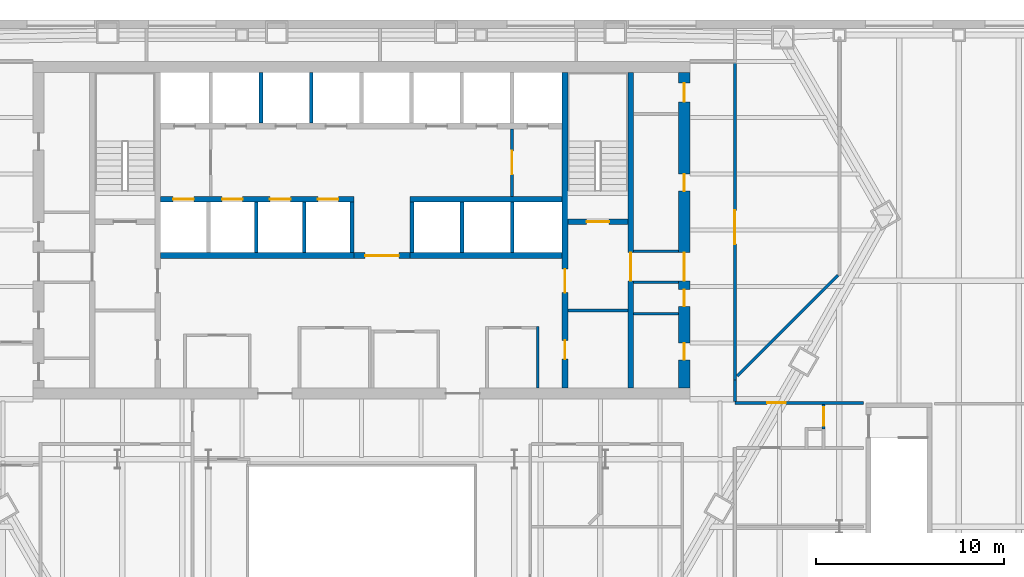
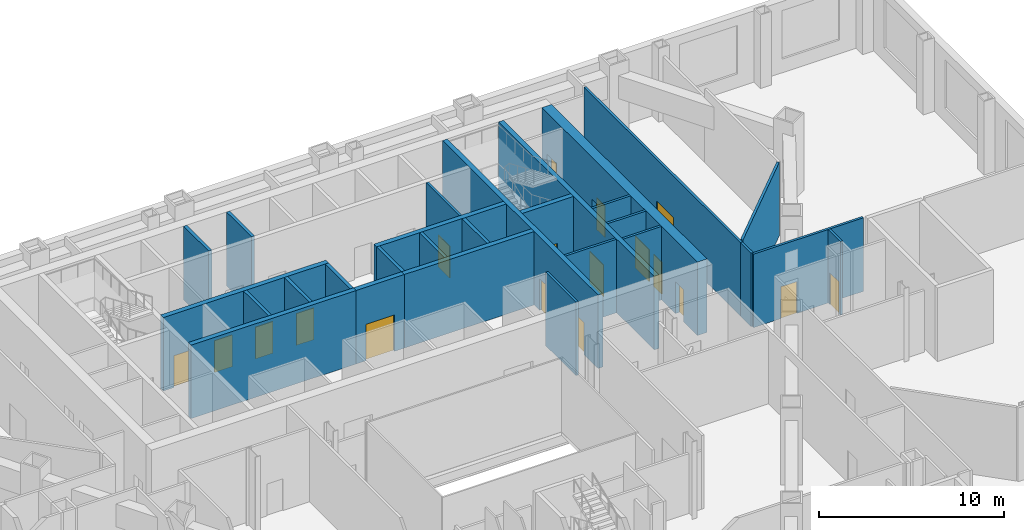
# One storey, part 12 of 17: 28 walls, 18 doors, 18 openings.
"""IFC4 building model written with IfcOpenShell, lengths in metres."""

from ifc_helpers import new_model, si_unit, direction, frame, frame_2d, origin, place, context, subcontext, project, spatial, rectangle, extrude, material, layer, layer_set, type_object, element, fill, save


model = new_model("IFC4")

# Units and contexts
model_context = context("Model", 3, precision=1e-05, world=origin(), true_north=direction((0.0, 1.0)))
body_context = subcontext(model_context, "Body", "Model", "MODEL_VIEW")
ifc_project = project(units=[si_unit("LENGTHUNIT", "METRE"), si_unit("AREAUNIT", "SQUARE_METRE"), si_unit("VOLUMEUNIT", "CUBIC_METRE"), si_unit("PLANEANGLEUNIT", "RADIAN"), si_unit("MASSUNIT", "GRAM", prefix="KILO")], contexts=[model_context])

# Site, building, storey
site_placement = place(None, origin())
site = spatial("IfcSite", under=ifc_project, at=site_placement, CompositionType="ELEMENT")
building_placement = place(site_placement, origin())
building = spatial("IfcBuilding", under=site, at=building_placement, Name="Njiva Tower", CompositionType="ELEMENT")
storey_placement = place(building_placement, frame((0.0, 0.0, 23.7)))
storey = spatial("IfcBuildingStorey", under=building, at=storey_placement, Name="L04", CompositionType="ELEMENT", Elevation=23.7)

# Walls
ifc_material_1 = material(Name="Blockwork", Category="masonry")
ifc_layer_1 = layer(ifc_material_1, 0.15)
ifc_layer_set_1 = layer_set([ifc_layer_1], Name="Blockwork")
wall_type_1 = type_object("IfcWallType", Name="WT1 Compartment partition 150", PredefinedType="PARTITIONING", material=ifc_layer_set_1)
wall_1_placement = place(storey_placement, frame((11.0, 4.725, 0.0), z_axis=(0.0, 0.0, 1.0), x_axis=(1.0, 0.0, 0.0)))
element("IfcWall", 1, at=wall_1_placement, inside=storey, type_object=wall_type_1, Name="Room wall B", PredefinedType="PARTITIONING", context=body_context, shape_type="SweptSolid", body=[
    extrude(rectangle(XDim=3.2, YDim=0.15, at=frame_2d((1.6, 0.0))), origin(), (0.0, 0.0, 1.0), 4.85),
])
wall_2_placement = place(storey_placement, frame((9.4, 0.6, 0.0), z_axis=(0.0, 0.0, 1.0), x_axis=(0.0, 1.0, 0.0)))
element("IfcWall", 2, at=wall_2_placement, inside=storey, type_object=wall_type_1, Name="Security office wall east", PredefinedType="PARTITIONING", context=body_context, shape_type="SweptSolid", body=[
    extrude(rectangle(XDim=3.275, YDim=0.15, at=frame_2d((1.6375, 0.0))), origin(), (0.0, 0.0, 1.0), 4.85),
])

# Wall, openings, doors
ifc_material_2 = material(Name="Concrete C40/50", Category="concrete")
ifc_layer_2 = layer(ifc_material_2, 0.3)
ifc_layer_set_2 = layer_set([ifc_layer_2], Name="Concrete C40/50")
wall_type_2 = type_object("IfcWallType", Name="WT10 Stair enclosure wall 300", PredefinedType="SHEAR", material=ifc_layer_set_2)
wall_3_placement = place(storey_placement, frame((10.85, 0.6, 0.0), z_axis=(0.0, 0.0, 1.0), x_axis=(0.0, 1.0, 0.0)))
wall_3 = element("IfcWall", 3, at=wall_3_placement, inside=storey, type_object=wall_type_2, Name="Stair wall east inner", PredefinedType="SHEAR", context=body_context, shape_type="SweptSolid", body=[
    extrude(rectangle(XDim=16.8, YDim=0.3, at=frame_2d((8.4, 0.0))), origin(), (0.0, 0.0, 1.0), 4.85),
])
opening_1_placement = place(wall_3_placement, frame((5.075, 0.0, 0.0)))
opening_1 = element("IfcOpeningElement", 4, at=opening_1_placement, cuts=wall_3, Name="Opening L04-D918", PredefinedType="OPENING", context=body_context, shape_type="SweptSolid", body=[
    extrude(rectangle(XDim=1.25, YDim=2.1, at=frame_2d((0.625, 1.05))), frame((0.0, 0.16, 0.0), z_axis=(0.0, -1.0, 0.0), x_axis=(1.0, 0.0, 0.0)), (0.0, 0.0, 1.0), 0.32),
])
opening_2_placement = place(wall_3_placement, frame((1.525, 0.0, 0.0)))
opening_2 = element("IfcOpeningElement", 5, at=opening_2_placement, cuts=wall_3, Name="Opening L04-D919", PredefinedType="OPENING", context=body_context, shape_type="SweptSolid", body=[
    extrude(rectangle(XDim=1.0, YDim=2.1, at=frame_2d((0.5, 1.05))), frame((0.0, 0.16, 0.0), z_axis=(0.0, -1.0, 0.0), x_axis=(1.0, 0.0, 0.0)), (0.0, 0.0, 1.0), 0.32),
])
ifc_material_3 = material(Name="Steel door, painted", Category="steel")
door_type_1 = type_object("IfcDoorType", Name="D5 Steel door 1000x2100", OperationType="SINGLE_SWING_LEFT", PredefinedType="DOOR", material=ifc_material_3)
door_1_placement = place(opening_2_placement, origin())
door_1 = element("IfcDoor", 6, at=door_1_placement, inside=storey, type_object=door_type_1, Name="Reading room door", OperationType="SINGLE_SWING_LEFT", OverallHeight=2.1, OverallWidth=1.0, PredefinedType="DOOR", context=body_context, shape_type="SweptSolid", body=[
    extrude(rectangle(XDim=1.0, YDim=2.1, at=frame_2d((0.5, 1.05))), frame((0.0, 0.025, 0.0), z_axis=(0.0, -1.0, 0.0), x_axis=(1.0, 0.0, 0.0)), (0.0, 0.0, 1.0), 0.05),
])
fill(opening_2, door_1)
ifc_material_4 = material(Name="Glazed steel fire door", Category="steel")
door_type_2 = type_object("IfcDoorType", Name="D8 Vestibule corridor door 1250x2100 glazed", OperationType="SINGLE_SWING_LEFT", PredefinedType="DOOR", material=ifc_material_4)
door_2_placement = place(opening_1_placement, origin())
door_2 = element("IfcDoor", 7, at=door_2_placement, inside=storey, type_object=door_type_2, Name="Stair vestibule corridor door", OperationType="SINGLE_SWING_RIGHT", OverallHeight=2.1, OverallWidth=1.25, PredefinedType="DOOR", context=body_context, shape_type="SweptSolid", body=[
    extrude(rectangle(XDim=1.25, YDim=2.1, at=frame_2d((0.625, 1.05))), frame((0.0, 0.025, 0.0), z_axis=(0.0, -1.0, 0.0), x_axis=(1.0, 0.0, 0.0)), (0.0, 0.0, 1.0), 0.05),
])
fill(opening_1, door_2)

# Wall, opening, door
wall_4_placement = place(storey_placement, frame((14.35, 0.6, 0.0), z_axis=(0.0, 0.0, 1.0), x_axis=(0.0, 1.0, 0.0)))
wall_4 = element("IfcWall", 8, at=wall_4_placement, inside=storey, type_object=wall_type_2, Name="Stair wall east outer", PredefinedType="SHEAR", context=body_context, shape_type="SweptSolid", body=[
    extrude(rectangle(XDim=16.8, YDim=0.3, at=frame_2d((8.4, 0.0))), origin(), (0.0, 0.0, 1.0), 4.85),
])
opening_3_placement = place(wall_4_placement, frame((5.7, 0.0, 0.0)))
opening_3 = element("IfcOpeningElement", 9, at=opening_3_placement, cuts=wall_4, Name="Opening L04-D926", PredefinedType="OPENING", context=body_context, shape_type="SweptSolid", body=[
    extrude(rectangle(XDim=1.5, YDim=2.1, at=frame_2d((0.75, 1.05))), frame((0.0, 0.16, 0.0), z_axis=(0.0, -1.0, 0.0), x_axis=(1.0, 0.0, 0.0)), (0.0, 0.0, 1.0), 0.32),
])
door_type_3 = type_object("IfcDoorType", Name="D10 Exit door double 1500x2100 glazed", OperationType="DOUBLE_DOOR_SINGLE_SWING", PredefinedType="DOOR", material=ifc_material_4)
door_3_placement = place(opening_3_placement, origin())
door_3 = element("IfcDoor", 10, at=door_3_placement, inside=storey, type_object=door_type_3, Name="Stair B passage door", OperationType="DOUBLE_DOOR_SINGLE_SWING", OverallHeight=2.1, OverallWidth=1.5, PredefinedType="DOOR", context=body_context, shape_type="SweptSolid", body=[
    extrude(rectangle(XDim=1.5, YDim=2.1, at=frame_2d((0.75, 1.05))), frame((0.0, 0.025, 0.0), z_axis=(0.0, -1.0, 0.0), x_axis=(1.0, 0.0, 0.0)), (0.0, 0.0, 1.0), 0.05),
])
fill(opening_3, door_3)

wall_5_placement = place(storey_placement, frame((11.0, 9.45, 0.0), z_axis=(0.0, 0.0, 1.0), x_axis=(1.0, 0.0, 0.0)))
wall_5 = element("IfcWall", 11, at=wall_5_placement, inside=storey, type_object=wall_type_2, Name="Stair B south wall", PredefinedType="SHEAR", context=body_context, shape_type="SweptSolid", body=[
    extrude(rectangle(XDim=3.2, YDim=0.3, at=frame_2d((1.6, 0.0))), origin(), (0.0, 0.0, 1.0), 4.85),
])
opening_4_placement = place(wall_5_placement, frame((1.0, 0.0, 0.0)))
opening_4 = element("IfcOpeningElement", 12, at=opening_4_placement, cuts=wall_5, Name="Opening L04-D917", PredefinedType="OPENING", context=body_context, shape_type="SweptSolid", body=[
    extrude(rectangle(XDim=1.2, YDim=2.1, at=frame_2d((0.6, 1.05))), frame((0.0, 0.16, 0.0), z_axis=(0.0, -1.0, 0.0), x_axis=(1.0, 0.0, 0.0)), (0.0, 0.0, 1.0), 0.32),
])
door_type_4 = type_object("IfcDoorType", Name="D7 Stair vestibule door 1200x2100 glazed", OperationType="SINGLE_SWING_LEFT", PredefinedType="DOOR", material=ifc_material_4)
door_4_placement = place(opening_4_placement, origin())
door_4 = element("IfcDoor", 13, at=door_4_placement, inside=storey, type_object=door_type_4, Name="Stair B door", OperationType="SINGLE_SWING_LEFT", OverallHeight=2.1, OverallWidth=1.2, PredefinedType="DOOR", context=body_context, shape_type="SweptSolid", body=[
    extrude(rectangle(XDim=1.2, YDim=2.1, at=frame_2d((0.6, 1.05))), frame((0.0, 0.025, 0.0), z_axis=(0.0, -1.0, 0.0), x_axis=(1.0, 0.0, 0.0)), (0.0, 0.0, 1.0), 0.05),
])
fill(opening_4, door_4)

# Wall, openings, doors
ifc_material_5 = material(Name="Concrete C60/75", Category="concrete")
ifc_layer_3 = layer(ifc_material_5, 0.6)
ifc_layer_set_3 = layer_set([ifc_layer_3], Name="Concrete C60/75")
wall_type_3 = type_object("IfcWallType", Name="WT15 Core wall 600", PredefinedType="SHEAR", material=ifc_layer_set_3)
wall_6_placement = place(storey_placement, frame((17.2, 0.6, 0.0), z_axis=(0.0, 0.0, 1.0), x_axis=(0.0, 1.0, 0.0)))
wall_6 = element("IfcWall", 14, at=wall_6_placement, inside=storey, type_object=wall_type_3, Name="Core wall east", PredefinedType="SHEAR", context=body_context, shape_type="SweptSolid", body=[
    extrude(rectangle(XDim=16.8, YDim=0.6, at=frame_2d((8.4, 0.0))), origin(), (0.0, 0.0, 1.0), 4.85),
])
opening_5_placement = place(wall_6_placement, frame((5.7, 0.0, 0.0)))
opening_5 = element("IfcOpeningElement", 15, at=opening_5_placement, cuts=wall_6, Name="Opening L04-D927", PredefinedType="OPENING", context=body_context, shape_type="SweptSolid", body=[
    extrude(rectangle(XDim=1.5, YDim=2.1, at=frame_2d((0.75, 1.05))), frame((0.0, 0.31, 0.0), z_axis=(0.0, -1.0, 0.0), x_axis=(1.0, 0.0, 0.0)), (0.0, 0.0, 1.0), 0.62),
])
opening_6_placement = place(wall_6_placement, frame((1.4885, 0.0, 0.0)))
opening_6 = element("IfcOpeningElement", 16, at=opening_6_placement, cuts=wall_6, Name="Opening L04-D928", PredefinedType="OPENING", context=body_context, shape_type="SweptSolid", body=[
    extrude(rectangle(XDim=0.9, YDim=2.1, at=frame_2d((0.45, 1.05))), frame((0.0, 0.31, 0.0), z_axis=(0.0, -1.0, 0.0), x_axis=(1.0, 0.0, 0.0)), (0.0, 0.0, 1.0), 0.62),
])
opening_7_placement = place(wall_6_placement, frame((4.3385, 0.0, 0.0)))
opening_7 = element("IfcOpeningElement", 17, at=opening_7_placement, cuts=wall_6, Name="Opening L04-D929", PredefinedType="OPENING", context=body_context, shape_type="SweptSolid", body=[
    extrude(rectangle(XDim=0.9, YDim=2.1, at=frame_2d((0.45, 1.05))), frame((0.0, 0.31, 0.0), z_axis=(0.0, -1.0, 0.0), x_axis=(1.0, 0.0, 0.0)), (0.0, 0.0, 1.0), 0.62),
])
opening_8_placement = place(wall_6_placement, frame((10.4832, 0.0, 0.0)))
opening_8 = element("IfcOpeningElement", 18, at=opening_8_placement, cuts=wall_6, Name="Opening L04-D930", PredefinedType="OPENING", context=body_context, shape_type="SweptSolid", body=[
    extrude(rectangle(XDim=0.9, YDim=2.1, at=frame_2d((0.45, 1.05))), frame((0.0, 0.31, 0.0), z_axis=(0.0, -1.0, 0.0), x_axis=(1.0, 0.0, 0.0)), (0.0, 0.0, 1.0), 0.62),
])
opening_9_placement = place(wall_6_placement, frame((15.2332, 0.0, 0.0)))
opening_9 = element("IfcOpeningElement", 19, at=opening_9_placement, cuts=wall_6, Name="Opening L04-D931", PredefinedType="OPENING", context=body_context, shape_type="SweptSolid", body=[
    extrude(rectangle(XDim=1.0, YDim=2.1, at=frame_2d((0.5, 1.05))), frame((0.0, 0.31, 0.0), z_axis=(0.0, -1.0, 0.0), x_axis=(1.0, 0.0, 0.0)), (0.0, 0.0, 1.0), 0.62),
])
door_5_placement = place(opening_5_placement, origin())
door_5 = element("IfcDoor", 20, at=door_5_placement, inside=storey, type_object=door_type_3, Name="Stair B corridor door", OperationType="DOUBLE_DOOR_SINGLE_SWING", OverallHeight=2.1, OverallWidth=1.5, PredefinedType="DOOR", context=body_context, shape_type="SweptSolid", body=[
    extrude(rectangle(XDim=1.5, YDim=2.1, at=frame_2d((0.75, 1.05))), frame((0.0, 0.025, 0.0), z_axis=(0.0, -1.0, 0.0), x_axis=(1.0, 0.0, 0.0)), (0.0, 0.0, 1.0), 0.05),
])
fill(opening_5, door_5)
door_type_5 = type_object("IfcDoorType", Name="D4 Riser door 900x2100", OperationType="SINGLE_SWING_LEFT", PredefinedType="DOOR", material=ifc_material_3)
door_6_placement = place(opening_7_placement, origin())
door_6 = element("IfcDoor", 21, at=door_6_placement, inside=storey, type_object=door_type_5, Name="Riser door", OperationType="SINGLE_SWING_LEFT", OverallHeight=2.1, OverallWidth=0.9, PredefinedType="DOOR", context=body_context, shape_type="SweptSolid", body=[
    extrude(rectangle(XDim=0.9, YDim=2.1, at=frame_2d((0.45, 1.05))), frame((0.0, 0.025, 0.0), z_axis=(0.0, -1.0, 0.0), x_axis=(1.0, 0.0, 0.0)), (0.0, 0.0, 1.0), 0.05),
])
fill(opening_7, door_6)
door_7_placement = place(opening_9_placement, origin())
door_7 = element("IfcDoor", 22, at=door_7_placement, inside=storey, type_object=door_type_1, Name="Telecoms room door", OperationType="SINGLE_SWING_LEFT", OverallHeight=2.1, OverallWidth=1.0, PredefinedType="DOOR", context=body_context, shape_type="SweptSolid", body=[
    extrude(rectangle(XDim=1.0, YDim=2.1, at=frame_2d((0.5, 1.05))), frame((0.0, 0.025, 0.0), z_axis=(0.0, -1.0, 0.0), x_axis=(1.0, 0.0, 0.0)), (0.0, 0.0, 1.0), 0.05),
])
fill(opening_9, door_7)
ifc_material_6 = material(Name="Steel fire door, painted", Category="steel")
door_type_6 = type_object("IfcDoorType", Name="D6 Fire-rated door 900x2100", OperationType="SINGLE_SWING_LEFT", PredefinedType="DOOR", material=ifc_material_6)
door_8_placement = place(opening_6_placement, origin())
door_8 = element("IfcDoor", 23, at=door_8_placement, inside=storey, type_object=door_type_6, Name="Reading room door", OperationType="SINGLE_SWING_RIGHT", OverallHeight=2.1, OverallWidth=0.9, PredefinedType="DOOR", context=body_context, shape_type="SweptSolid", body=[
    extrude(rectangle(XDim=0.9, YDim=2.1, at=frame_2d((0.45, 1.05))), frame((0.0, 0.025, 0.0), z_axis=(0.0, -1.0, 0.0), x_axis=(1.0, 0.0, 0.0)), (0.0, 0.0, 1.0), 0.05),
])
fill(opening_6, door_8)
door_9_placement = place(opening_8_placement, origin())
door_9 = element("IfcDoor", 24, at=door_9_placement, inside=storey, type_object=door_type_6, Name="Tenant centre door", OperationType="SINGLE_SWING_LEFT", OverallHeight=2.1, OverallWidth=0.9, PredefinedType="DOOR", context=body_context, shape_type="SweptSolid", body=[
    extrude(rectangle(XDim=0.9, YDim=2.1, at=frame_2d((0.45, 1.05))), frame((0.0, 0.025, 0.0), z_axis=(0.0, -1.0, 0.0), x_axis=(1.0, 0.0, 0.0)), (0.0, 0.0, 1.0), 0.05),
])
fill(opening_8, door_9)

# Wall, opening, door
ifc_layer_4 = layer(ifc_material_1, 0.15)
ifc_layer_set_4 = layer_set([ifc_layer_4], Name="Blockwork")
wall_type_4 = type_object("IfcWallType", Name="WT2 Lobby partition 150", PredefinedType="PARTITIONING", material=ifc_layer_set_4)
wall_7_placement = place(storey_placement, frame((8.025, 10.8, 0.0), z_axis=(0.0, 0.0, 1.0), x_axis=(0.0, 1.0, 0.0)))
wall_7 = element("IfcWall", 25, at=wall_7_placement, inside=storey, type_object=wall_type_4, Name="Firefighting lobby wall B", PredefinedType="PARTITIONING", context=body_context, shape_type="SweptSolid", body=[
    extrude(rectangle(XDim=3.6, YDim=0.15, at=frame_2d((1.8, 0.0))), origin(), (0.0, 0.0, 1.0), 4.85),
])
opening_10_placement = place(wall_7_placement, frame((1.175, 0.0, 0.0)))
opening_10 = element("IfcOpeningElement", 26, at=opening_10_placement, cuts=wall_7, Name="Opening L04-D916", PredefinedType="OPENING", context=body_context, shape_type="SweptSolid", body=[
    extrude(rectangle(XDim=1.25, YDim=2.1, at=frame_2d((0.625, 1.05))), frame((0.0, 0.085, 0.0), z_axis=(0.0, -1.0, 0.0), x_axis=(1.0, 0.0, 0.0)), (0.0, 0.0, 1.0), 0.17),
])
door_10_placement = place(opening_10_placement, origin())
door_10 = element("IfcDoor", 27, at=door_10_placement, inside=storey, type_object=door_type_2, Name="Stair vestibule corridor door", OperationType="SINGLE_SWING_LEFT", OverallHeight=2.1, OverallWidth=1.25, PredefinedType="DOOR", context=body_context, shape_type="SweptSolid", body=[
    extrude(rectangle(XDim=1.25, YDim=2.1, at=frame_2d((0.625, 1.05))), frame((0.0, 0.025, 0.0), z_axis=(0.0, -1.0, 0.0), x_axis=(1.0, 0.0, 0.0)), (0.0, 0.0, 1.0), 0.05),
])
fill(opening_10, door_10)

# Wall
ifc_material_7 = material(Name="Gypsum board on steel studs", Category="gypsum")
ifc_layer_5 = layer(ifc_material_7, 0.15)
ifc_layer_set_5 = layer_set([ifc_layer_5], Name="Gypsum board on steel studs")
wall_type_5 = type_object("IfcWallType", Name="WT21 Compartment wall 150", PredefinedType="PARTITIONING", material=ifc_layer_set_5)
wall_8_placement = place(storey_placement, frame((19.9, -0.125, 0.0), z_axis=(0.0, 0.0, 1.0), x_axis=(0.0, 1.0, 0.0)))
element("IfcWall", 28, at=wall_8_placement, inside=storey, type_object=wall_type_5, Name="Partition L04-P075", PredefinedType="PARTITIONING", context=body_context, shape_type="SweptSolid", body=[
    extrude(rectangle(XDim=1.15, YDim=0.15, at=frame_2d((0.575, 0.0))), origin(), (0.0, 0.0, 1.0), 4.85),
])

# Wall, opening, door
wall_9_placement = place(storey_placement, frame((19.9, 1.025, 0.0), z_axis=(0.0, 0.0, 1.0), x_axis=(0.0, 1.0, 0.0)))
wall_9 = element("IfcWall", 29, at=wall_9_placement, inside=storey, type_object=wall_type_5, Name="Partition L04-P076", PredefinedType="PARTITIONING", context=body_context, shape_type="SweptSolid", body=[
    extrude(rectangle(XDim=16.9, YDim=0.15, at=frame_2d((8.45, 0.0))), origin(), (0.0, 0.0, 1.0), 4.85),
])
opening_11_placement = place(wall_9_placement, frame((7.237, 0.0, 0.0)))
opening_11 = element("IfcOpeningElement", 30, at=opening_11_placement, cuts=wall_9, Name="Opening L04-D030", PredefinedType="OPENING", context=body_context, shape_type="SweptSolid", body=[
    extrude(rectangle(XDim=1.8, YDim=2.1, at=frame_2d((0.9, 1.05))), frame((0.0, 0.085, 0.0), z_axis=(0.0, -1.0, 0.0), x_axis=(1.0, 0.0, 0.0)), (0.0, 0.0, 1.0), 0.17),
])
ifc_material_8 = material(Name="Steel fire door set", Category="steel")
door_type_7 = type_object("IfcDoorType", Name="D38 Fire door 1800x2100", OperationType="DOUBLE_DOOR_SINGLE_SWING", PredefinedType="DOOR", material=ifc_material_8)
door_11_placement = place(opening_11_placement, origin())
door_11 = element("IfcDoor", 31, at=door_11_placement, inside=storey, type_object=door_type_7, Name="Door L04-D030", OperationType="DOUBLE_DOOR_SINGLE_SWING", OverallHeight=2.1, OverallWidth=1.8, PredefinedType="DOOR", context=body_context, shape_type="SweptSolid", body=[
    extrude(rectangle(XDim=1.8, YDim=2.1, at=frame_2d((0.9, 1.05))), frame((0.0, 0.025, 0.0), z_axis=(0.0, -1.0, 0.0), x_axis=(1.0, 0.0, 0.0)), (0.0, 0.0, 1.0), 0.05),
])
fill(opening_11, door_11)

wall_10_placement = place(storey_placement, frame((19.902, -0.2, 0.0), z_axis=(0.0, 0.0, 1.0), x_axis=(1.0, 0.0, 0.0)))
wall_10 = element("IfcWall", 32, at=wall_10_placement, inside=storey, type_object=wall_type_5, Name="Partition L04-P078", PredefinedType="PARTITIONING", context=body_context, shape_type="SweptSolid", body=[
    extrude(rectangle(XDim=6.848, YDim=0.15, at=frame_2d((3.424, 0.0))), origin(), (0.0, 0.0, 1.0), 4.85),
])
opening_12_placement = place(wall_10_placement, frame((1.713, 0.0, 0.0)))
opening_12 = element("IfcOpeningElement", 33, at=opening_12_placement, cuts=wall_10, Name="Opening L04-D031", PredefinedType="OPENING", context=body_context, shape_type="SweptSolid", body=[
    extrude(rectangle(XDim=1.0, YDim=2.1, at=frame_2d((0.5, 1.05))), frame((0.0, 0.085, 0.0), z_axis=(0.0, -1.0, 0.0), x_axis=(1.0, 0.0, 0.0)), (0.0, 0.0, 1.0), 0.17),
])
door_type_8 = type_object("IfcDoorType", Name="D37 Fire door 1000x2100", OperationType="SINGLE_SWING_LEFT", PredefinedType="DOOR", material=ifc_material_8)
door_12_placement = place(opening_12_placement, origin())
door_12 = element("IfcDoor", 34, at=door_12_placement, inside=storey, type_object=door_type_8, Name="Door L04-D031", OperationType="SINGLE_SWING_RIGHT", OverallHeight=2.1, OverallWidth=1.0, PredefinedType="DOOR", context=body_context, shape_type="SweptSolid", body=[
    extrude(rectangle(XDim=1.0, YDim=2.1, at=frame_2d((0.5, 1.05))), frame((0.0, 0.025, 0.0), z_axis=(0.0, -1.0, 0.0), x_axis=(1.0, 0.0, 0.0)), (0.0, 0.0, 1.0), 0.05),
])
fill(opening_12, door_12)

# Wall
wall_11_placement = place(storey_placement, frame((20.028, 1.228, 0.0), z_axis=(0.0, 0.0, 1.0), x_axis=(0.707106781187, 0.707106781187, 0.0)))
element("IfcWall", 35, at=wall_11_placement, inside=storey, type_object=wall_type_5, Name="Partition L04-P082", PredefinedType="PARTITIONING", context=body_context, shape_type="SweptSolid", body=[
    extrude(rectangle(XDim=7.5858, YDim=0.15, at=frame_2d((3.7929, 0.0))), origin(), (0.0, 0.0, 1.0), 4.85),
])

# Wall, opening, door
wall_12_placement = place(storey_placement, frame((24.625, -1.588, 0.0), z_axis=(0.0, 0.0, 1.0), x_axis=(0.0, 1.0, 0.0)))
wall_12 = element("IfcWall", 36, at=wall_12_placement, inside=storey, type_object=wall_type_5, Name="Partition L04-P087", PredefinedType="PARTITIONING", context=body_context, shape_type="SweptSolid", body=[
    extrude(rectangle(XDim=1.313, YDim=0.15, at=frame_2d((0.6565, 0.0))), origin(), (0.0, 0.0, 1.0), 4.85),
])
opening_13_placement = place(wall_12_placement, frame((0.157, 0.0, 0.0)))
opening_13 = element("IfcOpeningElement", 37, at=opening_13_placement, cuts=wall_12, Name="Opening L04-D033", PredefinedType="OPENING", context=body_context, shape_type="SweptSolid", body=[
    extrude(rectangle(XDim=1.0, YDim=2.1, at=frame_2d((0.5, 1.05))), frame((0.0, 0.085, 0.0), z_axis=(0.0, -1.0, 0.0), x_axis=(1.0, 0.0, 0.0)), (0.0, 0.0, 1.0), 0.17),
])
door_type_9 = type_object("IfcDoorType", Name="D41 Glazed fire door 1000x2100", OperationType="SINGLE_SWING_LEFT", PredefinedType="DOOR", material=ifc_material_4)
door_13_placement = place(opening_13_placement, origin())
door_13 = element("IfcDoor", 38, at=door_13_placement, inside=storey, type_object=door_type_9, Name="Door L04-D033", OperationType="SINGLE_SWING_RIGHT", OverallHeight=2.1, OverallWidth=1.0, PredefinedType="DOOR", context=body_context, shape_type="SweptSolid", body=[
    extrude(rectangle(XDim=1.0, YDim=2.1, at=frame_2d((0.5, 1.05))), frame((0.0, 0.025, 0.0), z_axis=(0.0, -1.0, 0.0), x_axis=(1.0, 0.0, 0.0)), (0.0, 0.0, 1.0), 0.05),
])
fill(opening_13, door_13)

# Walls
ifc_layer_6 = layer(ifc_material_1, 0.15)
ifc_layer_set_6 = layer_set([ifc_layer_6], Name="Blockwork")
wall_type_6 = type_object("IfcWallType", Name="WT3 Riser partition 150", PredefinedType="PARTITIONING", material=ifc_layer_set_6)
wall_13_placement = place(storey_placement, frame((14.5, 4.5519, 0.0), z_axis=(0.0, 0.0, 1.0), x_axis=(1.0, 0.0, 0.0)))
element("IfcWall", 39, at=wall_13_placement, inside=storey, type_object=wall_type_6, Name="Partition strip E00", PredefinedType="PARTITIONING", context=body_context, shape_type="SweptSolid", body=[
    extrude(rectangle(XDim=2.4, YDim=0.15, at=frame_2d((1.2, 0.0))), origin(), (0.0, 0.0, 1.0), 4.85),
])
ifc_layer_7 = layer(ifc_material_1, 0.15)
ifc_layer_set_7 = layer_set([ifc_layer_7], Name="Blockwork")
wall_type_7 = type_object("IfcWallType", Name="WT4 Stair partition 150", PredefinedType="PARTITIONING", material=ifc_layer_set_7)
for number, where, z_axis, x_axis, name in (
    (40, (14.5, 6.225, 0.0), (0.0, 0.0, 1.0), (1.0, 0.0, 0.0), "Stair B exit passage wall south"),
    (41, (14.5, 7.875, 0.0), (0.0, 0.0, 1.0), (1.0, 0.0, 0.0), "Stair B exit passage wall north"),
):
    element("IfcWall", number, at=place(storey_placement, frame(where, z_axis=z_axis, x_axis=x_axis)), inside=storey, type_object=wall_type_7, Name=name, PredefinedType="PARTITIONING", context=body_context, shape_type="SweptSolid", body=[
        extrude(rectangle(XDim=2.4, YDim=0.15, at=frame_2d((1.2, 0.0))), origin(), (0.0, 0.0, 1.0), 4.85),
    ])

# Wall, opening, door
ifc_layer_8 = layer(ifc_material_1, 0.3)
ifc_layer_set_8 = layer_set([ifc_layer_8], Name="Blockwork")
wall_type_8 = type_object("IfcWallType", Name="WT5 Lobby partition 300", PredefinedType="PARTITIONING", material=ifc_layer_set_8)
wall_14_placement = place(storey_placement, frame((-0.4, 7.65, 0.0), z_axis=(0.0, 0.0, 1.0), x_axis=(1.0, 0.0, 0.0)))
wall_14 = element("IfcWall", 42, at=wall_14_placement, inside=storey, type_object=wall_type_8, Name="Lift lobby screen wall", PredefinedType="PARTITIONING", context=body_context, shape_type="SweptSolid", body=[
    extrude(rectangle(XDim=3.0, YDim=0.3, at=frame_2d((1.5, 0.0))), origin(), (0.0, 0.0, 1.0), 4.85),
])
opening_14_placement = place(wall_14_placement, frame((0.6, 0.0, 0.0)))
opening_14 = element("IfcOpeningElement", 43, at=opening_14_placement, cuts=wall_14, Name="Opening L04-D936", PredefinedType="OPENING", context=body_context, shape_type="SweptSolid", body=[
    extrude(rectangle(XDim=1.8, YDim=2.4, at=frame_2d((0.9, 1.2))), frame((0.0, 0.16, 0.0), z_axis=(0.0, -1.0, 0.0), x_axis=(1.0, 0.0, 0.0)), (0.0, 0.0, 1.0), 0.32),
])
ifc_material_9 = material(Name="Steel and glass door", Category="steel")
door_type_10 = type_object("IfcDoorType", Name="D3 Core entrance door 1800x2400", OperationType="DOUBLE_DOOR_SINGLE_SWING", PredefinedType="DOOR", material=ifc_material_9)
door_14_placement = place(opening_14_placement, origin())
door_14 = element("IfcDoor", 44, at=door_14_placement, inside=storey, type_object=door_type_10, Name="Core entrance door", OperationType="DOUBLE_DOOR_SINGLE_SWING", OverallHeight=2.4, OverallWidth=1.8, PredefinedType="DOOR", context=body_context, shape_type="SweptSolid", body=[
    extrude(rectangle(XDim=1.8, YDim=2.4, at=frame_2d((0.9, 1.2))), frame((0.0, 0.025, 0.0), z_axis=(0.0, -1.0, 0.0), x_axis=(1.0, 0.0, 0.0)), (0.0, 0.0, 1.0), 0.05),
])
fill(opening_14, door_14)

# Walls
ifc_layer_9 = layer(ifc_material_2, 0.2)
ifc_layer_set_9 = layer_set([ifc_layer_9], Name="Concrete C40/50")
wall_type_9 = type_object("IfcWallType", Name="WT6 Lift shaft wall 200", PredefinedType="SHEAR", material=ifc_layer_set_9)
for number, where, z_axis, x_axis, name in (
    (45, (-5.35, 14.7, 0.0), (0.0, 0.0, 1.0), (0.0, 1.0, 0.0), "Shaft wall CN2"),
    (46, (-2.675, 14.7, 0.0), (0.0, 0.0, 1.0), (0.0, 1.0, 0.0), "Shaft wall CN3"),
    (47, (-5.6, 7.8, 0.0), (0.0, 0.0, 1.0), (0.0, 1.0, 0.0), "Shaft wall CS2"),
    (48, (-3.05, 7.8, 0.0), (0.0, 0.0, 1.0), (0.0, 1.0, 0.0), "Shaft wall CS3"),
    (49, (-0.5, 7.8, 0.0), (0.0, 0.0, 1.0), (0.0, 1.0, 0.0), "Shaft wall CS4"),
    (50, (2.7, 7.8, 0.0), (0.0, 0.0, 1.0), (0.0, 1.0, 0.0), "Shaft wall CS5"),
    (51, (5.3667, 7.8, 0.0), (0.0, 0.0, 1.0), (0.0, 1.0, 0.0), "Shaft wall CS6"),
    (52, (8.0333, 7.8, 0.0), (0.0, 0.0, 1.0), (0.0, 1.0, 0.0), "Shaft wall CS7"),
):
    element("IfcWall", number, at=place(storey_placement, frame(where, z_axis=z_axis, x_axis=x_axis)), inside=storey, type_object=wall_type_9, Name=name, PredefinedType="SHEAR", context=body_context, shape_type="SweptSolid", body=[
        extrude(rectangle(XDim=2.7, YDim=0.2, at=frame_2d((1.35, 0.0))), origin(), (0.0, 0.0, 1.0), 4.85),
    ])

# Wall, openings, doors
ifc_layer_10 = layer(ifc_material_2, 0.3)
ifc_layer_set_10 = layer_set([ifc_layer_10], Name="Concrete C40/50")
wall_type_10 = type_object("IfcWallType", Name="WT7 Lift shaft wall 300", PredefinedType="SHEAR", material=ifc_layer_set_10)
wall_15_placement = place(storey_placement, frame((-10.7, 10.65, 0.0), z_axis=(0.0, 0.0, 1.0), x_axis=(1.0, 0.0, 0.0)))
wall_15 = element("IfcWall", 53, at=wall_15_placement, inside=storey, type_object=wall_type_10, Name="Shaft wall south row lobby side W", PredefinedType="SHEAR", context=body_context, shape_type="SweptSolid", body=[
    extrude(rectangle(XDim=10.3, YDim=0.3, at=frame_2d((5.15, 0.0))), origin(), (0.0, 0.0, 1.0), 4.85),
])
opening_15_placement = place(wall_15_placement, frame((0.675, 0.0, 0.0)))
opening_15 = element("IfcOpeningElement", 54, at=opening_15_placement, cuts=wall_15, Name="Opening L04-D908", PredefinedType="OPENING", context=body_context, shape_type="SweptSolid", body=[
    extrude(rectangle(XDim=1.1, YDim=2.1, at=frame_2d((0.55, 1.05))), frame((0.0, 0.16, 0.0), z_axis=(0.0, -1.0, 0.0), x_axis=(1.0, 0.0, 0.0)), (0.0, 0.0, 1.0), 0.32),
])
opening_16_placement = place(wall_15_placement, frame((3.275, 0.0, 0.0)))
opening_16 = element("IfcOpeningElement", 55, at=opening_16_placement, cuts=wall_15, Name="Opening L04-D909", PredefinedType="OPENING", context=body_context, shape_type="SweptSolid", body=[
    extrude(rectangle(XDim=1.1, YDim=2.1, at=frame_2d((0.55, 1.05))), frame((0.0, 0.16, 0.0), z_axis=(0.0, -1.0, 0.0), x_axis=(1.0, 0.0, 0.0)), (0.0, 0.0, 1.0), 0.32),
])
opening_17_placement = place(wall_15_placement, frame((5.825, 0.0, 0.0)))
opening_17 = element("IfcOpeningElement", 56, at=opening_17_placement, cuts=wall_15, Name="Opening L04-D910", PredefinedType="OPENING", context=body_context, shape_type="SweptSolid", body=[
    extrude(rectangle(XDim=1.1, YDim=2.1, at=frame_2d((0.55, 1.05))), frame((0.0, 0.16, 0.0), z_axis=(0.0, -1.0, 0.0), x_axis=(1.0, 0.0, 0.0)), (0.0, 0.0, 1.0), 0.32),
])
opening_18_placement = place(wall_15_placement, frame((8.375, 0.0, 0.0)))
opening_18 = element("IfcOpeningElement", 57, at=opening_18_placement, cuts=wall_15, Name="Opening L04-D911", PredefinedType="OPENING", context=body_context, shape_type="SweptSolid", body=[
    extrude(rectangle(XDim=1.1, YDim=2.1, at=frame_2d((0.55, 1.05))), frame((0.0, 0.16, 0.0), z_axis=(0.0, -1.0, 0.0), x_axis=(1.0, 0.0, 0.0)), (0.0, 0.0, 1.0), 0.32),
])
ifc_material_10 = material(Name="Stainless steel sliding door", Category="steel")
door_type_11 = type_object("IfcDoorType", Name="LD Lift landing door 1100x2100", OperationType="SLIDING_TO_LEFT", PredefinedType="DOOR", material=ifc_material_10)
door_15_placement = place(opening_15_placement, origin())
door_15 = element("IfcDoor", 58, at=door_15_placement, inside=storey, type_object=door_type_11, Name="Lift landing door LB4", OperationType="SLIDING_TO_LEFT", OverallHeight=2.1, OverallWidth=1.1, PredefinedType="DOOR", context=body_context, shape_type="SweptSolid", body=[
    extrude(rectangle(XDim=1.1, YDim=2.1, at=frame_2d((0.55, 1.05))), frame((0.0, 0.025, 0.0), z_axis=(0.0, -1.0, 0.0), x_axis=(1.0, 0.0, 0.0)), (0.0, 0.0, 1.0), 0.05),
])
fill(opening_15, door_15)
door_16_placement = place(opening_16_placement, origin())
door_16 = element("IfcDoor", 59, at=door_16_placement, inside=storey, type_object=door_type_11, Name="Lift landing door LB5", OperationType="SLIDING_TO_LEFT", OverallHeight=2.1, OverallWidth=1.1, PredefinedType="DOOR", context=body_context, shape_type="SweptSolid", body=[
    extrude(rectangle(XDim=1.1, YDim=2.1, at=frame_2d((0.55, 1.05))), frame((0.0, 0.025, 0.0), z_axis=(0.0, -1.0, 0.0), x_axis=(1.0, 0.0, 0.0)), (0.0, 0.0, 1.0), 0.05),
])
fill(opening_16, door_16)
door_17_placement = place(opening_17_placement, origin())
door_17 = element("IfcDoor", 60, at=door_17_placement, inside=storey, type_object=door_type_11, Name="Lift landing door LB6", OperationType="SLIDING_TO_LEFT", OverallHeight=2.1, OverallWidth=1.1, PredefinedType="DOOR", context=body_context, shape_type="SweptSolid", body=[
    extrude(rectangle(XDim=1.1, YDim=2.1, at=frame_2d((0.55, 1.05))), frame((0.0, 0.025, 0.0), z_axis=(0.0, -1.0, 0.0), x_axis=(1.0, 0.0, 0.0)), (0.0, 0.0, 1.0), 0.05),
])
fill(opening_17, door_17)
door_18_placement = place(opening_18_placement, origin())
door_18 = element("IfcDoor", 61, at=door_18_placement, inside=storey, type_object=door_type_11, Name="Lift landing door LB7", OperationType="SLIDING_TO_LEFT", OverallHeight=2.1, OverallWidth=1.1, PredefinedType="DOOR", context=body_context, shape_type="SweptSolid", body=[
    extrude(rectangle(XDim=1.1, YDim=2.1, at=frame_2d((0.55, 1.05))), frame((0.0, 0.025, 0.0), z_axis=(0.0, -1.0, 0.0), x_axis=(1.0, 0.0, 0.0)), (0.0, 0.0, 1.0), 0.05),
])
fill(opening_18, door_18)

# Walls
wall_16_placement = place(storey_placement, frame((-10.7, 7.65, 0.0), z_axis=(0.0, 0.0, 1.0), x_axis=(1.0, 0.0, 0.0)))
element("IfcWall", 62, at=wall_16_placement, inside=storey, type_object=wall_type_10, Name="Shaft wall south row back W", PredefinedType="SHEAR", context=body_context, shape_type="SweptSolid", body=[
    extrude(rectangle(XDim=10.3, YDim=0.3, at=frame_2d((5.15, 0.0))), origin(), (0.0, 0.0, 1.0), 4.85),
])
for number, where, z_axis, x_axis, name in (
    (63, (2.6, 10.65, 0.0), (0.0, 0.0, 1.0), (1.0, 0.0, 0.0), "Shaft wall south row lobby side E"),
    (64, (2.6, 7.65, 0.0), (0.0, 0.0, 1.0), (1.0, 0.0, 0.0), "Shaft wall south row back E"),
):
    element("IfcWall", number, at=place(storey_placement, frame(where, z_axis=z_axis, x_axis=x_axis)), inside=storey, type_object=wall_type_10, Name=name, PredefinedType="SHEAR", context=body_context, shape_type="SweptSolid", body=[
        extrude(rectangle(XDim=8.1, YDim=0.3, at=frame_2d((4.05, 0.0))), origin(), (0.0, 0.0, 1.0), 4.85),
    ])

save(model, "model.ifc")
